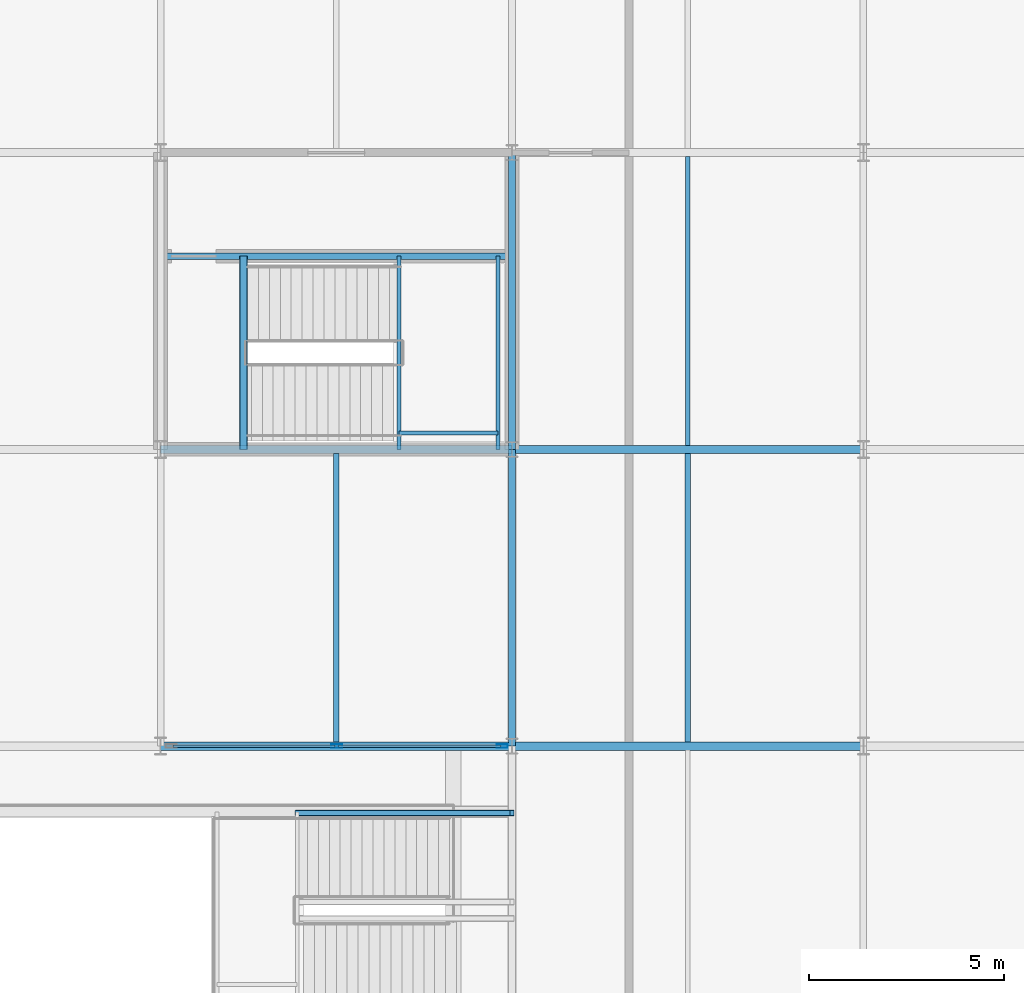
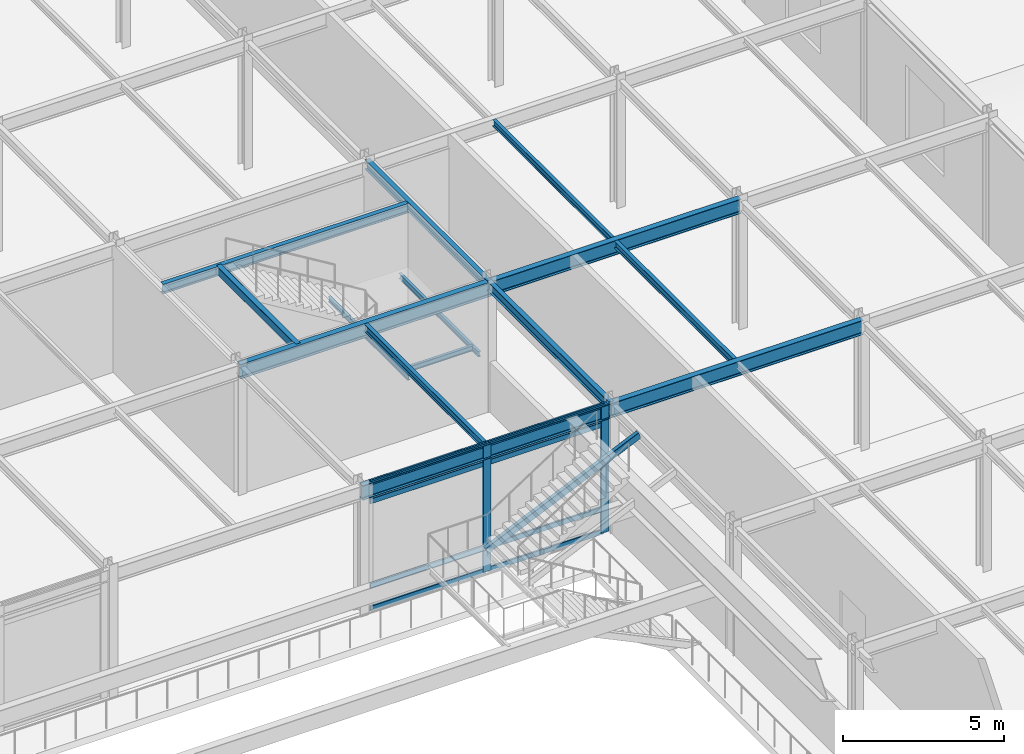
# One storey, part 63 of 113: 14 beams, 11 members, 1 element without a shape of its own.
"""IFC4 building model written with IfcOpenShell, lengths in metres."""

import ifcopenshell
import ifcopenshell.guid

model = None  # the IFC model being written
_history = None  # IfcOwnerHistory: only IFC2X3 demands one
_inside = {}  # id of a spatial element -> (the spatial element, [elements in it])
_under = {}  # id of a project, library or spatial element -> (it, [spatial elements below it])
_declared = {}  # id of a project -> (the project, [libraries it declares])
_typed = {}  # id of a type object -> (the type object, [elements of that type])
_made_of = {}  # id of a material, layer set ... -> (it, [elements and type objects made of it])


def new_model(schema):
    """Start an empty IFC model of exactly this schema.

    Asked for "IFC4X3", IfcOpenShell would pick the latest addendum, in which some entities
    have other attributes; the version numbers below select the first issue.
    IFC2X3 requires an IfcOwnerHistory on every rooted entity: one is made here for all.
    """
    global model, _history
    if schema == "IFC4X3":
        model = ifcopenshell.file(schema_version=(4, 3, 0, 0))
    else:
        model = ifcopenshell.file(schema=schema)
    _inside.clear()
    _under.clear()
    _declared.clear()
    _typed.clear()
    _made_of.clear()
    _history = None
    if model.schema == "IFC2X3":
        org = make("IfcOrganization", Name="unknown")
        user = make(
            "IfcPersonAndOrganization",
            ThePerson=make("IfcPerson", FamilyName="unknown"),
            TheOrganization=org,
        )
        app = make(
            "IfcApplication",
            ApplicationDeveloper=org,
            Version="unknown",
            ApplicationFullName="unknown",
            ApplicationIdentifier="unknown",
        )
        _history = make(
            "IfcOwnerHistory",
            OwningUser=user,
            OwningApplication=app,
            ChangeAction="ADDED",
            CreationDate=0,
        )
    return model


def make(cls, **values):
    """One entity of the class cls with the attributes given. An attribute that is None is left unset."""
    return model.create_entity(
        cls, **{name: value for name, value in values.items() if value is not None}
    )


def rooted(cls, **values):
    """An entity with a GlobalId (a new one), such as an element, a storey or a relation."""
    return make(cls, GlobalId=ifcopenshell.guid.new(), OwnerHistory=_history, **values)


def si_unit(unit_type, name, prefix=None):
    """IfcSIUnit, for example si_unit("LENGTHUNIT", "METRE", prefix="MILLI")."""
    return make("IfcSIUnit", UnitType=unit_type, Prefix=prefix, Name=name)


def assignment(units):
    """IfcUnitAssignment: the units of a project."""
    return None if units is None else make("IfcUnitAssignment", Units=units)


def point(xyz):
    """IfcCartesianPoint."""
    return None if xyz is None else make("IfcCartesianPoint", Coordinates=xyz)


def direction(xyz):
    """IfcDirection."""
    return None if xyz is None else make("IfcDirection", DirectionRatios=xyz)


def frame(location, z_axis=None, x_axis=None):
    """IfcAxis2Placement3D, a coordinate frame: its origin and axes. An axis left out is left unset."""
    return make(
        "IfcAxis2Placement3D",
        Location=point(location),
        Axis=direction(z_axis),
        RefDirection=direction(x_axis),
    )


def frame_2d(location, x_axis=None):
    """IfcAxis2Placement2D, a coordinate frame in the plane: its origin and x axis."""
    return make(
        "IfcAxis2Placement2D", Location=point(location), RefDirection=direction(x_axis)
    )


def origin():
    """The frame at (0, 0, 0) with its axes left unset."""
    return frame((0.0, 0.0, 0.0))


def origin_2d():
    """The frame at (0, 0) in the plane with its x axis left unset."""
    return frame_2d((0.0, 0.0))


def place(relative_to, where):
    """IfcLocalPlacement: puts the frame where relative to a parent placement (None: the world)."""
    return make(
        "IfcLocalPlacement", PlacementRelTo=relative_to, RelativePlacement=where
    )


def context(
    kind, dimensions, precision=None, world=None, true_north=None, identifier=None
):
    """IfcGeometricRepresentationContext, for example the 3D "Model" context."""
    return make(
        "IfcGeometricRepresentationContext",
        ContextIdentifier=identifier,
        ContextType=kind,
        CoordinateSpaceDimension=dimensions,
        Precision=precision,
        WorldCoordinateSystem=world,
        TrueNorth=true_north,
    )


def subcontext(parent, identifier, kind, view, scale=None):
    """IfcGeometricRepresentationSubContext, for example "Body" below "Model"."""
    return make(
        "IfcGeometricRepresentationSubContext",
        ContextIdentifier=identifier,
        ContextType=kind,
        ParentContext=parent,
        TargetScale=scale,
        TargetView=view,
    )


def project(units=None, contexts=None):
    """IfcProject with its units and contexts."""
    return rooted(
        "IfcProject",
        Name="project",
        RepresentationContexts=contexts,
        UnitsInContext=assignment(units),
    )


def spatial(cls, under=None, at=None, **own):
    """A site, building, storey or space (cls), placed at a placement, below another one or the project."""
    s = rooted(cls, ObjectPlacement=at, **own)
    if under is not None:
        _under.setdefault(under.id(), (under, []))[1].append(s)
    return s


def profile(cls, at=None, kind="AREA", **sizes):
    """A parametric profile (cls). Its sizes go by their IFC names, for example OverallWidth=200.0."""
    return make(cls, ProfileType=kind, Position=at, **sizes)


def hollow_rectangle(**sizes):
    """IfcRectangleHollowProfileDef."""
    return profile("IfcRectangleHollowProfileDef", **sizes)


def i_section(**sizes):
    """IfcIShapeProfileDef."""
    return profile("IfcIShapeProfileDef", **sizes)


def extrude(swept, where, along, depth):
    """IfcExtrudedAreaSolid: the profile swept, set in the frame where, extruded along a direction by depth."""
    return make(
        "IfcExtrudedAreaSolid",
        SweptArea=swept,
        Position=where,
        ExtrudedDirection=direction(along),
        Depth=depth,
    )


def shape(context_of_items, identifier, shape_type, items):
    """IfcShapeRepresentation: the items that make up one representation, for example the "Body"."""
    return make(
        "IfcShapeRepresentation",
        ContextOfItems=context_of_items,
        RepresentationIdentifier=identifier,
        RepresentationType=shape_type,
        Items=items,
    )


def material(Name=None, Category=None):
    """IfcMaterial."""
    return make("IfcMaterial", Name=Name, Category=Category)


def layer(
    of_material, thickness, ventilated=None, Name=None, Category=None, Priority=None
):
    """IfcMaterialLayer: one layer of a wall or slab, of a material (None: an air gap)."""
    return make(
        "IfcMaterialLayer",
        Material=of_material,
        LayerThickness=thickness,
        IsVentilated=ventilated,
        Name=Name,
        Category=Category,
        Priority=Priority,
    )


def layer_set(layers, Name=None):
    """IfcMaterialLayerSet."""
    return make("IfcMaterialLayerSet", MaterialLayers=layers, LayerSetName=Name)


def material_profile(
    of_material, cross_section, Name=None, Category=None, Priority=None
):
    """IfcMaterialProfile: a cross section and its material."""
    return make(
        "IfcMaterialProfile",
        Name=Name,
        Material=of_material,
        Profile=cross_section,
        Priority=Priority,
        Category=Category,
    )


def profile_set(profiles, Name=None, composite=None):
    """IfcMaterialProfileSet."""
    return make(
        "IfcMaterialProfileSet",
        Name=Name,
        MaterialProfiles=profiles,
        CompositeProfile=composite,
    )


def made_of(thing, what):
    """Note that an element or type object is made of a material, layer set ...; save() writes the relation."""
    if what is not None:
        _made_of.setdefault(what.id(), (what, []))[1].append(thing)
    return thing


def type_object(cls, material=None, **own):
    """A type object (cls), such as IfcWallType, which elements share."""
    return made_of(rooted(cls, **own), material)


def element(
    cls,
    number,
    at=None,
    inside=None,
    cuts=None,
    type_object=None,
    material=None,
    context=None,
    identifier="Body",
    shape_type=None,
    held_by="IfcProductDefinitionShape",
    body=None,
    shapes=None,
    **own,
):
    """One element of the class cls, such as IfcWall. Its Tag is "e" and its number.

    at: its placement. inside: the storey or other place that contains it. cuts: it is an
    opening in that element (IfcRelVoidsElement). A single representation is given by context,
    identifier, shape_type and body (its items); several are given by shapes. held_by: the class
    of the entity that holds the representations. save() writes the other relations.
    """
    e = rooted(cls, Tag="e%d" % number, ObjectPlacement=at, **own)
    if body is not None:
        shapes = [shape(context, identifier, shape_type, body)]
    if shapes is not None:
        e.Representation = make(held_by, Representations=shapes)
    if inside is not None:
        _inside.setdefault(inside.id(), (inside, []))[1].append(e)
    if cuts is not None:
        rooted(
            "IfcRelVoidsElement", RelatingBuildingElement=cuts, RelatedOpeningElement=e
        )
    if type_object is not None:
        _typed.setdefault(type_object.id(), (type_object, []))[1].append(e)
    return made_of(e, material)


def aggregate(whole, parts):
    """IfcRelAggregates: a whole, such as a stair, and the parts it consists of."""
    return rooted("IfcRelAggregates", RelatingObject=whole, RelatedObjects=parts)


def save(model, path):
    """Write the relations noted so far, then the file.

    IfcRelAggregates (storeys below a building ...), IfcRelContainedInSpatialStructure (elements
    in a storey), IfcRelDefinesByType, IfcRelAssociatesMaterial and IfcRelDeclares: one each for
    every whole, place, type object, material and project.
    """
    for whole, parts in _under.values():
        aggregate(whole, parts)
    for where, things in _inside.values():
        rooted(
            "IfcRelContainedInSpatialStructure",
            RelatedElements=things,
            RelatingStructure=where,
        )
    for kind, things in _typed.values():
        rooted("IfcRelDefinesByType", RelatedObjects=things, RelatingType=kind)
    for what, things in _made_of.values():
        rooted("IfcRelAssociatesMaterial", RelatedObjects=things, RelatingMaterial=what)
    for by, libraries in _declared.values():
        rooted("IfcRelDeclares", RelatingContext=by, RelatedDefinitions=libraries)
    model.write(path)


model = new_model("IFC4")

# Units and contexts
model_context = context("Model", 3, precision=1e-05, world=origin(), true_north=direction((0.0, 1.0)))
body_context = subcontext(model_context, "Body", "Model", "MODEL_VIEW")
ifc_project = project(units=[si_unit("LENGTHUNIT", "METRE"), si_unit("AREAUNIT", "SQUARE_METRE"), si_unit("VOLUMEUNIT", "CUBIC_METRE"), si_unit("PLANEANGLEUNIT", "RADIAN"), si_unit("MASSUNIT", "GRAM", prefix="KILO")], contexts=[model_context])

# Site, building, storey
site_placement = place(None, origin())
site = spatial("IfcSite", under=ifc_project, at=site_placement, CompositionType="ELEMENT")
building_placement = place(site_placement, origin())
building = spatial("IfcBuilding", under=site, at=building_placement, Name="Shalkamar Park Central Library", CompositionType="ELEMENT")
storey_placement = place(building_placement, frame((0.0, 0.0, 5.39990234375)))
storey = spatial("IfcBuildingStorey", under=building, at=storey_placement, Name="L02", CompositionType="ELEMENT", Elevation=5.39990234375)

# Beams
ifc_material_1 = material(Name="Steel S355", Category="steel")
ifc_material_profile_1 = material_profile(ifc_material_1, i_section(OverallWidth=0.10009765625, OverallDepth=0.199951171875, WebThickness=0.005615234375, FlangeThickness=0.008544921875, FilletRadius=0.011962890625, at=origin_2d()), Name="IPE 200")
ifc_profile_set_1 = profile_set([ifc_material_profile_1], Name="Steel S355")
beam_type_1 = type_object("IfcBeamType", Name="Composite Floor Joist IPE200", PredefinedType="JOIST", material=ifc_profile_set_1)
for number, where, z_axis, x_axis, name in (
    (1, (252.10498046875, 300.800048828125, 2.170166015625), (0.0, 1.0, 0.0), (-1.0, 0.0, 0.0), "Stair Half-Landing Beam ST-P4-L02-1"),
    (2, (254.64501953125, 300.800048828125, 2.170166015625), (0.0, 1.0, 0.0), (-1.0, 0.0, 0.0), "Stair Half-Landing Beam ST-P4-L02-2"),
):
    element("IfcBeam", number, at=place(storey_placement, frame(where, z_axis=z_axis, x_axis=x_axis)), inside=storey, type_object=beam_type_1, Name=name, PredefinedType="JOIST", context=body_context, shape_type="SweptSolid", body=[
        extrude(i_section(OverallWidth=0.10009765625, OverallDepth=0.199951171875, WebThickness=0.005615234375, FlangeThickness=0.008544921875, FilletRadius=0.011962890625, at=origin_2d()), origin(), (0.0, 0.0, 1.0), 4.949951171875),
    ])
beam_1_placement = place(storey_placement, frame((252.10498046875, 301.22509765625, 2.170166015625), z_axis=(1.0, 0.0, 0.0), x_axis=(0.0, 1.0, 0.0)))
element("IfcBeam", 3, at=beam_1_placement, inside=storey, type_object=beam_type_1, Name="Stair Half-Landing Cross Tie ST-P4-L02-3", PredefinedType="JOIST", context=body_context, shape_type="SweptSolid", body=[
    extrude(i_section(OverallWidth=0.10009765625, OverallDepth=0.199951171875, WebThickness=0.005615234375, FlangeThickness=0.008544921875, FilletRadius=0.011962890625, at=origin_2d()), origin(), (0.0, 0.0, 1.0), 2.5400390625),
])
ifc_material_profile_2 = material_profile(ifc_material_1, i_section(OverallWidth=0.1201171875, OverallDepth=0.239990234375, WebThickness=0.006103515625, FlangeThickness=0.009765625, FilletRadius=0.014892578125, at=origin_2d()), Name="IPE 240")
ifc_profile_set_2 = profile_set([ifc_material_profile_2], Name="Steel S355")
beam_type_2 = type_object("IfcBeamType", Name="Composite Floor Joist IPE240", PredefinedType="JOIST", material=ifc_profile_set_2)
beam_2_placement = place(storey_placement, frame((259.5, 300.903076171875, 4.739990234375), z_axis=(0.0, 1.0, 0.0), x_axis=(-1.0, 0.0, 0.0)))
element("IfcBeam", 4, at=beam_2_placement, inside=storey, type_object=beam_type_2, Name="Composite Joist 18/J-1 (L02)", PredefinedType="JOIST", context=body_context, shape_type="SweptSolid", body=[
    extrude(i_section(OverallWidth=0.1201171875, OverallDepth=0.239990234375, WebThickness=0.006103515625, FlangeThickness=0.009765625, FilletRadius=0.014892578125, at=origin_2d()), origin(), (0.0, 0.0, 1.0), 7.39404296875),
])
ifc_material_profile_3 = material_profile(ifc_material_1, i_section(OverallWidth=0.135009765625, OverallDepth=0.27001953125, WebThickness=0.006591796875, FlangeThickness=0.01025390625, FilletRadius=0.014892578125, at=origin_2d()), Name="IPE 270")
ifc_profile_set_3 = profile_set([ifc_material_profile_3], Name="Steel S355")
beam_type_3 = type_object("IfcBeamType", Name="Composite Floor Joist IPE270", PredefinedType="JOIST", material=ifc_profile_set_3)
for number, where, z_axis, x_axis, name in (
    (5, (250.5, 293.302978515625, 4.72509765625), (0.0, 1.0, 0.0), (-1.0, 0.0, 0.0), "Composite Joist 17/H-1 (L02)"),
    (6, (259.5, 293.302978515625, 4.72509765625), (0.0, 1.0, 0.0), (-1.0, 0.0, 0.0), "Composite Joist 18/H-1 (L02)"),
):
    element("IfcBeam", number, at=place(storey_placement, frame(where, z_axis=z_axis, x_axis=x_axis)), inside=storey, type_object=beam_type_3, Name=name, PredefinedType="JOIST", context=body_context, shape_type="SweptSolid", body=[
        extrude(i_section(OverallWidth=0.135009765625, OverallDepth=0.27001953125, WebThickness=0.006591796875, FlangeThickness=0.01025390625, FilletRadius=0.014892578125, at=origin_2d()), origin(), (0.0, 0.0, 1.0), 7.39404296875),
    ])

# Curtain wall, members
ifc_material_2 = material(Name="Thermally broken aluminium and triple low-e curtain wall", Category="aluminium")
ifc_layer = layer(ifc_material_2, 0.280029296875)
ifc_layer_set = layer_set([ifc_layer], Name="AtriumGlazedScreen_119")
curtain_wall_type = type_object("IfcCurtainWallType", Name="Atrium Glazed Screen 119", PredefinedType="USERDEFINED", material=ifc_layer_set)
curtain_wall_placement = place(storey_placement, origin())
curtain_wall = element("IfcCurtainWall", 7, at=curtain_wall_placement, inside=storey, type_object=curtain_wall_type, Name="Atrium Glazed Screen CW-L02-176", ObjectType="ATRIUM GLAZED SCREEN", PredefinedType="USERDEFINED")
ifc_material_3 = material(Name="Aluminium 6060-T66", Category="aluminium")
ifc_material_profile_4 = material_profile(ifc_material_3, hollow_rectangle(XDim=0.090087890625, YDim=0.280029296875, WallThickness=0.0048828125, InnerFilletRadius=0.0048828125, OuterFilletRadius=0.007568359375, at=origin_2d()), Name="ALU 90x280x5")
ifc_profile_set_4 = profile_set([ifc_material_profile_4], Name="Aluminium 6060-T66")
member_type_1 = type_object("IfcMemberType", Name="Curtain Wall Mullion ALU90x280", PredefinedType="MULLION", material=ifc_profile_set_4)
member_1_placement = place(storey_placement, frame((250.512451171875, 293.199951171875, 0.0), z_axis=(0.0, 0.0, 1.0), x_axis=(0.0, 1.0, 0.0)))
member_1 = element("IfcMember", 8, at=member_1_placement, type_object=member_type_1, Name="CW-119 mullion 2", PredefinedType="MULLION", context=body_context, shape_type="SweptSolid", body=[
    extrude(hollow_rectangle(XDim=0.090087890625, YDim=0.280029296875, WallThickness=0.0048828125, InnerFilletRadius=0.0048828125, OuterFilletRadius=0.007568359375, at=origin_2d()), origin(), (0.0, 0.0, 1.0), 4.860107421875),
])
member_2_placement = place(storey_placement, frame((254.7509765625, 293.199951171875, 0.0), z_axis=(0.0, 0.0, 1.0), x_axis=(0.0, 1.0, 0.0)))
member_2 = element("IfcMember", 9, at=member_2_placement, type_object=member_type_1, Name="CW-119 mullion 3", PredefinedType="MULLION", context=body_context, shape_type="SweptSolid", body=[
    extrude(hollow_rectangle(XDim=0.090087890625, YDim=0.280029296875, WallThickness=0.0048828125, InnerFilletRadius=0.0048828125, OuterFilletRadius=0.007568359375, at=origin_2d()), origin(), (0.0, 0.0, 1.0), 4.860107421875),
])
ifc_material_profile_5 = material_profile(ifc_material_3, hollow_rectangle(XDim=0.070068359375, YDim=0.18994140625, WallThickness=0.0048828125, InnerFilletRadius=0.0048828125, OuterFilletRadius=0.007568359375, at=origin_2d()), Name="ALU 70x190x5")
ifc_profile_set_5 = profile_set([ifc_material_profile_5], Name="Aluminium 6060-T66")
member_type_2 = type_object("IfcMemberType", Name="Curtain Wall Transom ALU70x190", PredefinedType="USERDEFINED", material=ifc_profile_set_5)
member_3_placement = place(storey_placement, frame((246.319091796875, 293.199951171875, 0.03515625), z_axis=(1.0, 0.0, 0.0), x_axis=(0.0, 1.0, 0.0)))
member_3 = element("IfcMember", 10, at=member_3_placement, type_object=member_type_2, Name="CW-119 transom 1.1", ObjectType="TRANSOM", PredefinedType="USERDEFINED", context=body_context, shape_type="SweptSolid", body=[
    extrude(hollow_rectangle(XDim=0.070068359375, YDim=0.18994140625, WallThickness=0.0048828125, InnerFilletRadius=0.0048828125, OuterFilletRadius=0.007568359375, at=origin_2d()), origin(), (0.0, 0.0, 1.0), 4.1484375),
])
member_4_placement = place(storey_placement, frame((246.319091796875, 293.199951171875, 0.900146484375), z_axis=(1.0, 0.0, 0.0), x_axis=(0.0, 1.0, 0.0)))
member_4 = element("IfcMember", 11, at=member_4_placement, type_object=member_type_2, Name="CW-119 transom 1.2", ObjectType="TRANSOM", PredefinedType="USERDEFINED", context=body_context, shape_type="SweptSolid", body=[
    extrude(hollow_rectangle(XDim=0.070068359375, YDim=0.18994140625, WallThickness=0.0048828125, InnerFilletRadius=0.0048828125, OuterFilletRadius=0.007568359375, at=origin_2d()), origin(), (0.0, 0.0, 1.0), 4.1484375),
])
member_5_placement = place(storey_placement, frame((246.319091796875, 293.199951171875, 4.110107421875), z_axis=(1.0, 0.0, 0.0), x_axis=(0.0, 1.0, 0.0)))
member_5 = element("IfcMember", 12, at=member_5_placement, type_object=member_type_2, Name="CW-119 transom 1.3", ObjectType="TRANSOM", PredefinedType="USERDEFINED", context=body_context, shape_type="SweptSolid", body=[
    extrude(hollow_rectangle(XDim=0.070068359375, YDim=0.18994140625, WallThickness=0.0048828125, InnerFilletRadius=0.0048828125, OuterFilletRadius=0.007568359375, at=origin_2d()), origin(), (0.0, 0.0, 1.0), 4.1484375),
])
member_6_placement = place(storey_placement, frame((246.319091796875, 293.199951171875, 4.8251953125), z_axis=(1.0, 0.0, 0.0), x_axis=(0.0, 1.0, 0.0)))
member_6 = element("IfcMember", 13, at=member_6_placement, type_object=member_type_2, Name="CW-119 transom 1.4", ObjectType="TRANSOM", PredefinedType="USERDEFINED", context=body_context, shape_type="SweptSolid", body=[
    extrude(hollow_rectangle(XDim=0.070068359375, YDim=0.18994140625, WallThickness=0.0048828125, InnerFilletRadius=0.0048828125, OuterFilletRadius=0.007568359375, at=origin_2d()), origin(), (0.0, 0.0, 1.0), 4.1484375),
])
member_7_placement = place(storey_placement, frame((250.5576171875, 293.199951171875, 0.03515625), z_axis=(1.0, 0.0, 0.0), x_axis=(0.0, 1.0, 0.0)))
member_7 = element("IfcMember", 14, at=member_7_placement, type_object=member_type_2, Name="CW-119 transom 2.1", ObjectType="TRANSOM", PredefinedType="USERDEFINED", context=body_context, shape_type="SweptSolid", body=[
    extrude(hollow_rectangle(XDim=0.070068359375, YDim=0.18994140625, WallThickness=0.0048828125, InnerFilletRadius=0.0048828125, OuterFilletRadius=0.007568359375, at=origin_2d()), origin(), (0.0, 0.0, 1.0), 4.1484375),
])
member_8_placement = place(storey_placement, frame((250.5576171875, 293.199951171875, 0.900146484375), z_axis=(1.0, 0.0, 0.0), x_axis=(0.0, 1.0, 0.0)))
member_8 = element("IfcMember", 15, at=member_8_placement, type_object=member_type_2, Name="CW-119 transom 2.2", ObjectType="TRANSOM", PredefinedType="USERDEFINED", context=body_context, shape_type="SweptSolid", body=[
    extrude(hollow_rectangle(XDim=0.070068359375, YDim=0.18994140625, WallThickness=0.0048828125, InnerFilletRadius=0.0048828125, OuterFilletRadius=0.007568359375, at=origin_2d()), origin(), (0.0, 0.0, 1.0), 4.1484375),
])
member_9_placement = place(storey_placement, frame((250.5576171875, 293.199951171875, 4.110107421875), z_axis=(1.0, 0.0, 0.0), x_axis=(0.0, 1.0, 0.0)))
member_9 = element("IfcMember", 16, at=member_9_placement, type_object=member_type_2, Name="CW-119 transom 2.3", ObjectType="TRANSOM", PredefinedType="USERDEFINED", context=body_context, shape_type="SweptSolid", body=[
    extrude(hollow_rectangle(XDim=0.070068359375, YDim=0.18994140625, WallThickness=0.0048828125, InnerFilletRadius=0.0048828125, OuterFilletRadius=0.007568359375, at=origin_2d()), origin(), (0.0, 0.0, 1.0), 4.1484375),
])
member_10_placement = place(storey_placement, frame((250.5576171875, 293.199951171875, 4.8251953125), z_axis=(1.0, 0.0, 0.0), x_axis=(0.0, 1.0, 0.0)))
member_10 = element("IfcMember", 17, at=member_10_placement, type_object=member_type_2, Name="CW-119 transom 2.4", ObjectType="TRANSOM", PredefinedType="USERDEFINED", context=body_context, shape_type="SweptSolid", body=[
    extrude(hollow_rectangle(XDim=0.070068359375, YDim=0.18994140625, WallThickness=0.0048828125, InnerFilletRadius=0.0048828125, OuterFilletRadius=0.007568359375, at=origin_2d()), origin(), (0.0, 0.0, 1.0), 4.1484375),
])
aggregate(curtain_wall, [member_1, member_2, member_3, member_4, member_5, member_6, member_7, member_8, member_9, member_10])

# Beams
ifc_material_profile_6 = material_profile(ifc_material_1, i_section(OverallWidth=0.169921875, OverallDepth=0.360107421875, WebThickness=0.008056640625, FlangeThickness=0.0126953125, FilletRadius=0.01806640625, at=origin_2d()), Name="IPE 360")
ifc_profile_set_6 = profile_set([ifc_material_profile_6], Name="Steel S355")
beam_type_4 = type_object("IfcBeamType", Name="Primary Girder IPE360", PredefinedType="BEAM", material=ifc_profile_set_6)
beam_3_placement = place(storey_placement, frame((255.0, 293.199951171875, 4.68017578125), z_axis=(0.0, 1.0, 0.0), x_axis=(-1.0, 0.0, 0.0)))
element("IfcBeam", 18, at=beam_3_placement, inside=storey, type_object=beam_type_4, Name="Beam 18:H-J (L02)", PredefinedType="BEAM", context=body_context, shape_type="SweptSolid", body=[
    extrude(i_section(OverallWidth=0.169921875, OverallDepth=0.360107421875, WebThickness=0.008056640625, FlangeThickness=0.0126953125, FilletRadius=0.01806640625, at=origin_2d()), origin(), (0.0, 0.0, 1.0), 7.60009765625),
])
beam_4_placement = place(storey_placement, frame((255.0, 300.800048828125, 4.68017578125), z_axis=(0.0, 1.0, 0.0), x_axis=(-1.0, 0.0, 0.0)))
element("IfcBeam", 19, at=beam_4_placement, inside=storey, type_object=beam_type_4, Name="Beam 18:J-K (L02)", PredefinedType="BEAM", context=body_context, shape_type="SweptSolid", body=[
    extrude(i_section(OverallWidth=0.169921875, OverallDepth=0.360107421875, WebThickness=0.008056640625, FlangeThickness=0.0126953125, FilletRadius=0.01806640625, at=origin_2d()), origin(), (0.0, 0.0, 1.0), 7.599853515625),
])
beam_5_placement = place(storey_placement, frame((246.087890625, 305.75, 4.68017578125), z_axis=(1.0, 0.0, 0.0), x_axis=(0.0, 1.0, 0.0)))
element("IfcBeam", 20, at=beam_5_placement, inside=storey, type_object=beam_type_4, Name="CORE-P4 Stairwell Divider Beam (L02)", PredefinedType="BEAM", context=body_context, shape_type="SweptSolid", body=[
    extrude(i_section(OverallWidth=0.169921875, OverallDepth=0.360107421875, WebThickness=0.008056640625, FlangeThickness=0.0126953125, FilletRadius=0.01806640625, at=origin_2d()), origin(), (0.0, 0.0, 1.0), 8.82421875),
])
ifc_material_profile_7 = material_profile(ifc_material_1, i_section(OverallWidth=0.2099609375, OverallDepth=0.550048828125, WebThickness=0.010986328125, FlangeThickness=0.01708984375, FilletRadius=0.02392578125, at=origin_2d()), Name="IPE 550")
ifc_profile_set_7 = profile_set([ifc_material_profile_7], Name="Steel S355")
beam_type_5 = type_object("IfcBeamType", Name="Primary Girder IPE550", PredefinedType="BEAM", material=ifc_profile_set_7)
for number, where, z_axis, x_axis, name in (
    (21, (246.0, 293.199951171875, 4.585205078125), (1.0, 0.0, 0.0), (0.0, 1.0, 0.0), "Beam H:17-18 (L02)"),
    (22, (255.0, 293.199951171875, 4.585205078125), (1.0, 0.0, 0.0), (0.0, 1.0, 0.0), "Beam H:18-19 (L02)"),
    (23, (246.0, 300.800048828125, 4.585205078125), (1.0, 0.0, 0.0), (0.0, 1.0, 0.0), "Beam J:17-18 (L02)"),
    (24, (255.0, 300.800048828125, 4.585205078125), (1.0, 0.0, 0.0), (0.0, 1.0, 0.0), "Beam J:18-19 (L02)"),
):
    element("IfcBeam", number, at=place(storey_placement, frame(where, z_axis=z_axis, x_axis=x_axis)), inside=storey, type_object=beam_type_5, Name=name, PredefinedType="BEAM", context=body_context, shape_type="SweptSolid", body=[
        extrude(i_section(OverallWidth=0.2099609375, OverallDepth=0.550048828125, WebThickness=0.010986328125, FlangeThickness=0.01708984375, FilletRadius=0.02392578125, at=origin_2d()), origin(), (0.0, 0.0, 1.0), 9.0),
    ])

# Member
ifc_material_profile_8 = material_profile(ifc_material_1, hollow_rectangle(XDim=0.14990234375, YDim=0.25, WallThickness=0.010009765625, InnerFilletRadius=0.010009765625, OuterFilletRadius=0.014892578125, at=origin_2d()), Name="RHS 250x150x10")
ifc_profile_set_8 = profile_set([ifc_material_profile_8], Name="Steel S355")
member_type_3 = type_object("IfcMemberType", Name="Stair Stringer RHS250", PredefinedType="STRINGER", material=ifc_profile_set_8)
member_11_placement = place(storey_placement, frame((249.5, 291.489990234375, 2.170166015625), z_axis=(0.911612327408, 0.0, 0.411051048554), x_axis=(0.0, 1.0, 0.0)))
element("IfcMember", 25, at=member_11_placement, inside=storey, type_object=member_type_3, Name="Monumental Stair ST-A2 Stringer 4", PredefinedType="STRINGER", context=body_context, shape_type="SweptSolid", body=[
    extrude(hollow_rectangle(XDim=0.14990234375, YDim=0.25, WallThickness=0.010009765625, InnerFilletRadius=0.010009765625, OuterFilletRadius=0.014892578125, at=origin_2d()), origin(), (0.0, 0.0, 1.0), 6.033203125),
])

# Beam
ifc_material_profile_9 = material_profile(ifc_material_1, hollow_rectangle(XDim=0.199951171875, YDim=0.300048828125, WallThickness=0.011962890625, InnerFilletRadius=0.011962890625, OuterFilletRadius=0.01806640625, at=origin_2d()), Name="RHS 300x200x12")
ifc_profile_set_9 = profile_set([ifc_material_profile_9], Name="Steel S355")
beam_type_6 = type_object("IfcBeamType", Name="Stair Trimmer Box RHS300x200", PredefinedType="BEAM", material=ifc_profile_set_9)
beam_6_placement = place(storey_placement, frame((248.125, 300.800048828125, 4.710205078125), z_axis=(0.0, 1.0, 0.0), x_axis=(-1.0, 0.0, 0.0)))
element("IfcBeam", 26, at=beam_6_placement, inside=storey, type_object=beam_type_6, Name="Stair Arrival Trimmer Girder ST-P4-L02", PredefinedType="BEAM", context=body_context, shape_type="SweptSolid", body=[
    extrude(hollow_rectangle(XDim=0.199951171875, YDim=0.300048828125, WallThickness=0.011962890625, InnerFilletRadius=0.011962890625, OuterFilletRadius=0.01806640625, at=origin_2d()), origin(), (0.0, 0.0, 1.0), 4.949951171875),
])

save(model, "model.ifc")
